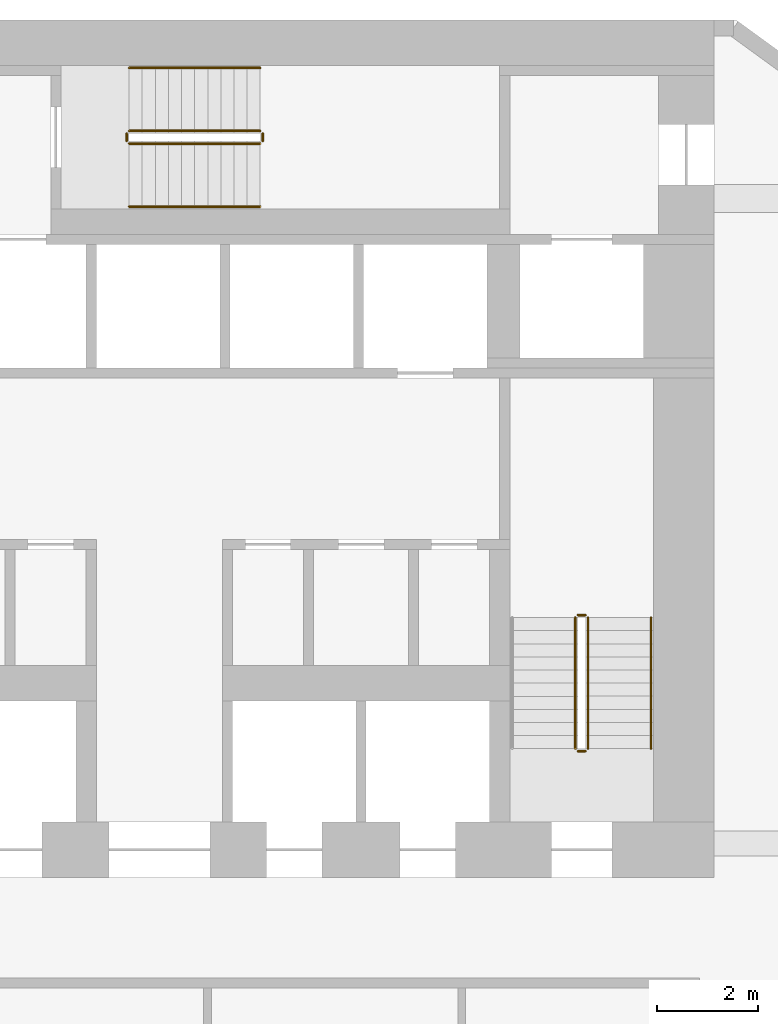
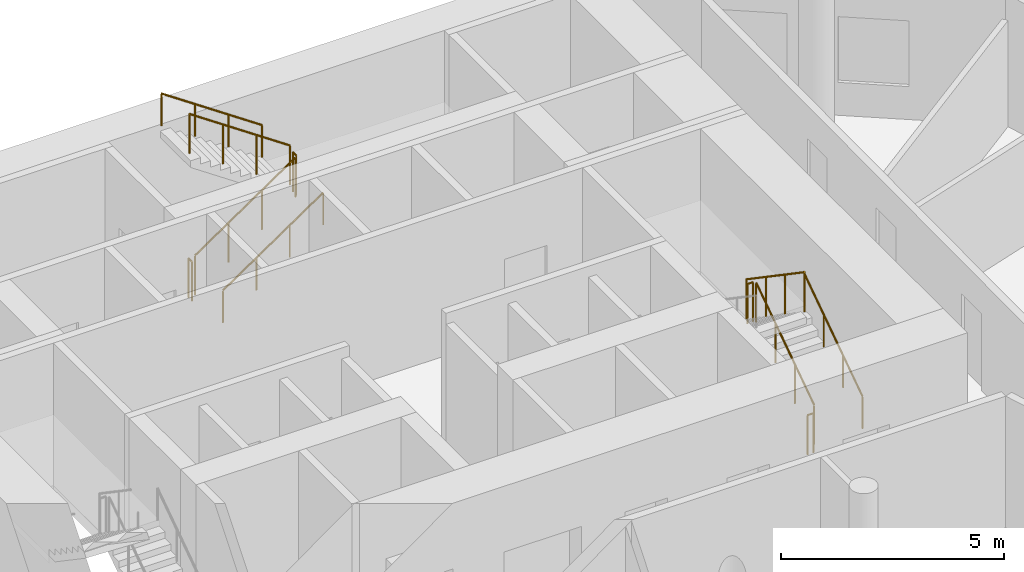
# One storey, part 9 of 9: 11 railings.
"""IFC4 building model written with IfcOpenShell, lengths in metres."""

from ifc_helpers import new_model, si_unit, direction, frame, origin, origin_2d, place, context, subcontext, project, spatial, circle, extrude, material, type_object, element, save


model = new_model("IFC4")

# Units and contexts
model_context = context("Model", 3, precision=1e-05, world=origin(), true_north=direction((0.0, 1.0)))
body_context = subcontext(model_context, "Body", "Model", "MODEL_VIEW")
ifc_project = project(units=[si_unit("LENGTHUNIT", "METRE"), si_unit("AREAUNIT", "SQUARE_METRE"), si_unit("VOLUMEUNIT", "CUBIC_METRE"), si_unit("PLANEANGLEUNIT", "RADIAN"), si_unit("MASSUNIT", "GRAM", prefix="KILO")], contexts=[model_context])

# Site, building, storey
site_placement = place(None, origin())
site = spatial("IfcSite", under=ifc_project, at=site_placement, CompositionType="ELEMENT")
building_placement = place(site_placement, origin())
building = spatial("IfcBuilding", under=site, at=building_placement, Name="White Candle Pilgrim Tower", CompositionType="ELEMENT")
storey_placement = place(building_placement, frame((0.0, 0.0, 133.699951171875)))
storey = spatial("IfcBuildingStorey", under=building, at=storey_placement, Name="L30", CompositionType="ELEMENT", Elevation=133.699951171875)

# Railings
ifc_material = material(Name="Stainless steel", Category="steel")
railing_type_1 = type_object("IfcRailingType", Name="Stair guard stainless steel 1100 mm", PredefinedType="GUARDRAIL", material=ifc_material)
railing_1_placement = place(storey_placement, frame((78.5, 73.550048828125, 0.17724609375)))
element("IfcRailing", 1, at=railing_1_placement, inside=storey, type_object=railing_type_1, Name="L30 ST2 stair guard 1", PredefinedType="GUARDRAIL", context=body_context, shape_type="SweptSolid", body=[
    extrude(circle(Radius=0.02392578125, at=origin_2d()), frame((0.0, 0.0, 1.076171875), z_axis=(0.0, 0.826215852431, 0.563353676824), x_axis=(-1.0, 0.0, 0.0)), (0.0, 0.0, 1.0), 3.146728515625),
    extrude(circle(Radius=0.02099609375, at=origin_2d()), origin(), (0.0, 0.0, 1.0), 1.052001953125),
    extrude(circle(Radius=0.02099609375, at=origin_2d()), frame((0.0, 0.86669921875, 0.5908203125)), (0.0, 0.0, 1.0), 1.052001953125),
    extrude(circle(Radius=0.02099609375, at=origin_2d()), frame((0.0, 1.733154296875, 1.181884765625)), (0.0, 0.0, 1.0), 1.052001953125),
    extrude(circle(Radius=0.02099609375, at=origin_2d()), frame((0.0, 2.599853515625, 1.772705078125)), (0.0, 0.0, 1.0), 1.052001953125),
])
railing_2_placement = place(storey_placement, frame((78.449951171875, 76.199951171875, 1.949951171875)))
element("IfcRailing", 2, at=railing_2_placement, inside=storey, type_object=railing_type_1, Name="L30 ST2 stair guard 2", PredefinedType="GUARDRAIL", context=body_context, shape_type="SweptSolid", body=[
    extrude(circle(Radius=0.02392578125, at=origin_2d()), frame((0.0, 0.0, 1.076171875), z_axis=(-1.0, 0.0, 0.0), x_axis=(0.0, -1.0, 0.0)), (0.0, 0.0, 1.0), 0.14990234375),
    extrude(circle(Radius=0.02099609375, at=origin_2d()), origin(), (0.0, 0.0, 1.0), 1.052001953125),
    extrude(circle(Radius=0.02099609375, at=origin_2d()), frame((-0.14990234375, 0.0, 0.0)), (0.0, 0.0, 1.0), 1.052001953125),
])
railing_3_placement = place(storey_placement, frame((78.25, 76.14990234375, 2.12744140625)))
element("IfcRailing", 3, at=railing_3_placement, inside=storey, type_object=railing_type_1, Name="L30 ST2 stair guard 3", PredefinedType="GUARDRAIL", context=body_context, shape_type="SweptSolid", body=[
    extrude(circle(Radius=0.02392578125, at=origin_2d()), frame((0.0, 0.0, 1.076171875), z_axis=(0.0, -0.826215852431, 0.563353676824), x_axis=(1.0, 0.0, 0.0)), (0.0, 0.0, 1.0), 3.146728515625),
    extrude(circle(Radius=0.02099609375, at=origin_2d()), origin(), (0.0, 0.0, 1.0), 1.052001953125),
    extrude(circle(Radius=0.02099609375, at=origin_2d()), frame((0.0, -0.86669921875, 0.5908203125)), (0.0, 0.0, 1.0), 1.052001953125),
    extrude(circle(Radius=0.02099609375, at=origin_2d()), frame((0.0, -1.733154296875, 1.181884765625)), (0.0, 0.0, 1.0), 1.052001953125),
    extrude(circle(Radius=0.02099609375, at=origin_2d()), frame((0.0, -2.599853515625, 1.772705078125)), (0.0, 0.0, 1.0), 1.052001953125),
])
railing_4_placement = place(storey_placement, frame((78.449951171875, 73.5, 0.0)))
element("IfcRailing", 4, at=railing_4_placement, inside=storey, type_object=railing_type_1, Name="L30 ST2 stair guard 4", PredefinedType="GUARDRAIL", context=body_context, shape_type="SweptSolid", body=[
    extrude(circle(Radius=0.02392578125, at=origin_2d()), frame((0.0, 0.0, 1.076171875), z_axis=(-1.0, 0.0, 0.0), x_axis=(0.0, -1.0, 0.0)), (0.0, 0.0, 1.0), 0.14990234375),
    extrude(circle(Radius=0.02099609375, at=origin_2d()), origin(), (0.0, 0.0, 1.0), 1.052001953125),
    extrude(circle(Radius=0.02099609375, at=origin_2d()), frame((-0.14990234375, 0.0, 0.0)), (0.0, 0.0, 1.0), 1.052001953125),
])
railing_5_placement = place(storey_placement, frame((69.39990234375, 85.550048828125, 0.17724609375)))
element("IfcRailing", 5, at=railing_5_placement, inside=storey, type_object=railing_type_1, Name="L30 ST3 stair guard 1", PredefinedType="GUARDRAIL", context=body_context, shape_type="SweptSolid", body=[
    extrude(circle(Radius=0.02392578125, at=origin_2d()), frame((0.0, 0.0, 1.076171875), z_axis=(0.826240473404, 0.0, 0.563317565952), x_axis=(0.0, 1.0, 0.0)), (0.0, 0.0, 1.0), 3.14697265625),
    extrude(circle(Radius=0.02099609375, at=origin_2d()), origin(), (0.0, 0.0, 1.0), 1.052001953125),
    extrude(circle(Radius=0.02099609375, at=origin_2d()), frame((0.86669921875, 0.0, 0.5908203125)), (0.0, 0.0, 1.0), 1.052001953125),
    extrude(circle(Radius=0.02099609375, at=origin_2d()), frame((1.7333984375, 0.0, 1.181884765625)), (0.0, 0.0, 1.0), 1.052001953125),
    extrude(circle(Radius=0.02099609375, at=origin_2d()), frame((2.60009765625, 0.0, 1.772705078125)), (0.0, 0.0, 1.0), 1.052001953125),
])
railing_6_placement = place(storey_placement, frame((72.050048828125, 85.60009765625, 1.949951171875)))
element("IfcRailing", 6, at=railing_6_placement, inside=storey, type_object=railing_type_1, Name="L30 ST3 stair guard 2", PredefinedType="GUARDRAIL", context=body_context, shape_type="SweptSolid", body=[
    extrude(circle(Radius=0.02392578125, at=origin_2d()), frame((0.0, 0.0, 1.076171875), z_axis=(0.0, 1.0, 0.0), x_axis=(-1.0, 0.0, 0.0)), (0.0, 0.0, 1.0), 0.14990234375),
    extrude(circle(Radius=0.02099609375, at=origin_2d()), origin(), (0.0, 0.0, 1.0), 1.052001953125),
    extrude(circle(Radius=0.02099609375, at=origin_2d()), frame((0.0, 0.14990234375, 0.0)), (0.0, 0.0, 1.0), 1.052001953125),
])
railing_7_placement = place(storey_placement, frame((72.0, 85.800048828125, 2.12744140625)))
element("IfcRailing", 7, at=railing_7_placement, inside=storey, type_object=railing_type_1, Name="L30 ST3 stair guard 3", PredefinedType="GUARDRAIL", context=body_context, shape_type="SweptSolid", body=[
    extrude(circle(Radius=0.02392578125, at=origin_2d()), frame((0.0, 0.0, 1.076171875), z_axis=(-0.826240473404, 0.0, 0.563317565952), x_axis=(0.0, -1.0, 0.0)), (0.0, 0.0, 1.0), 3.14697265625),
    extrude(circle(Radius=0.02099609375, at=origin_2d()), origin(), (0.0, 0.0, 1.0), 1.052001953125),
    extrude(circle(Radius=0.02099609375, at=origin_2d()), frame((-0.86669921875, 0.0, 0.5908203125)), (0.0, 0.0, 1.0), 1.052001953125),
    extrude(circle(Radius=0.02099609375, at=origin_2d()), frame((-1.7333984375, 0.0, 1.181884765625)), (0.0, 0.0, 1.0), 1.052001953125),
    extrude(circle(Radius=0.02099609375, at=origin_2d()), frame((-2.60009765625, 0.0, 1.772705078125)), (0.0, 0.0, 1.0), 1.052001953125),
])
railing_8_placement = place(storey_placement, frame((69.35009765625, 85.60009765625, 0.0)))
element("IfcRailing", 8, at=railing_8_placement, inside=storey, type_object=railing_type_1, Name="L30 ST3 stair guard 4", PredefinedType="GUARDRAIL", context=body_context, shape_type="SweptSolid", body=[
    extrude(circle(Radius=0.02392578125, at=origin_2d()), frame((0.0, 0.0, 1.076171875), z_axis=(0.0, 1.0, 0.0), x_axis=(-1.0, 0.0, 0.0)), (0.0, 0.0, 1.0), 0.14990234375),
    extrude(circle(Radius=0.02099609375, at=origin_2d()), origin(), (0.0, 0.0, 1.0), 1.052001953125),
    extrude(circle(Radius=0.02099609375, at=origin_2d()), frame((0.0, 0.14990234375, 0.0)), (0.0, 0.0, 1.0), 1.052001953125),
])
railing_type_2 = type_object("IfcRailingType", Name="Stair handrail stainless steel", PredefinedType="HANDRAIL", material=ifc_material)
railing_9_placement = place(storey_placement, frame((79.75, 73.550048828125, 0.17724609375)))
element("IfcRailing", 9, at=railing_9_placement, inside=storey, type_object=railing_type_2, Name="L30 ST2 stair handrail 1", PredefinedType="HANDRAIL", context=body_context, shape_type="SweptSolid", body=[
    extrude(circle(Radius=0.02392578125, at=origin_2d()), frame((0.0, 0.0, 0.8759765625), z_axis=(0.0, 0.826215852431, 0.563353676824), x_axis=(-1.0, 0.0, 0.0)), (0.0, 0.0, 1.0), 3.146728515625),
    extrude(circle(Radius=0.02099609375, at=origin_2d()), origin(), (0.0, 0.0, 1.0), 0.851806640625),
    extrude(circle(Radius=0.02099609375, at=origin_2d()), frame((0.0, 0.86669921875, 0.5908203125)), (0.0, 0.0, 1.0), 0.851806640625),
    extrude(circle(Radius=0.02099609375, at=origin_2d()), frame((0.0, 1.733154296875, 1.181884765625)), (0.0, 0.0, 1.0), 0.851806640625),
    extrude(circle(Radius=0.02099609375, at=origin_2d()), frame((0.0, 2.599853515625, 1.772705078125)), (0.0, 0.0, 1.0), 0.851806640625),
])
railing_10_placement = place(storey_placement, frame((69.39990234375, 84.300048828125, 0.17724609375)))
element("IfcRailing", 10, at=railing_10_placement, inside=storey, type_object=railing_type_2, Name="L30 ST3 stair handrail 1", PredefinedType="HANDRAIL", context=body_context, shape_type="SweptSolid", body=[
    extrude(circle(Radius=0.02392578125, at=origin_2d()), frame((0.0, 0.0, 0.8759765625), z_axis=(0.826240473404, 0.0, 0.563317565952), x_axis=(0.0, 1.0, 0.0)), (0.0, 0.0, 1.0), 3.14697265625),
    extrude(circle(Radius=0.02099609375, at=origin_2d()), origin(), (0.0, 0.0, 1.0), 0.851806640625),
    extrude(circle(Radius=0.02099609375, at=origin_2d()), frame((0.86669921875, 0.0, 0.5908203125)), (0.0, 0.0, 1.0), 0.851806640625),
    extrude(circle(Radius=0.02099609375, at=origin_2d()), frame((1.7333984375, 0.0, 1.181884765625)), (0.0, 0.0, 1.0), 0.851806640625),
    extrude(circle(Radius=0.02099609375, at=origin_2d()), frame((2.60009765625, 0.0, 1.772705078125)), (0.0, 0.0, 1.0), 0.851806640625),
])
railing_11_placement = place(storey_placement, frame((72.0, 87.050048828125, 2.12744140625)))
element("IfcRailing", 11, at=railing_11_placement, inside=storey, type_object=railing_type_2, Name="L30 ST3 stair handrail 2", PredefinedType="HANDRAIL", context=body_context, shape_type="SweptSolid", body=[
    extrude(circle(Radius=0.02392578125, at=origin_2d()), frame((0.0, 0.0, 0.8759765625), z_axis=(-0.826240473404, 0.0, 0.563317565952), x_axis=(0.0, -1.0, 0.0)), (0.0, 0.0, 1.0), 3.14697265625),
    extrude(circle(Radius=0.02099609375, at=origin_2d()), origin(), (0.0, 0.0, 1.0), 0.851806640625),
    extrude(circle(Radius=0.02099609375, at=origin_2d()), frame((-0.86669921875, 0.0, 0.5908203125)), (0.0, 0.0, 1.0), 0.851806640625),
    extrude(circle(Radius=0.02099609375, at=origin_2d()), frame((-1.7333984375, 0.0, 1.181884765625)), (0.0, 0.0, 1.0), 0.851806640625),
    extrude(circle(Radius=0.02099609375, at=origin_2d()), frame((-2.60009765625, 0.0, 1.772705078125)), (0.0, 0.0, 1.0), 0.851806640625),
])

save(model, "model.ifc")
